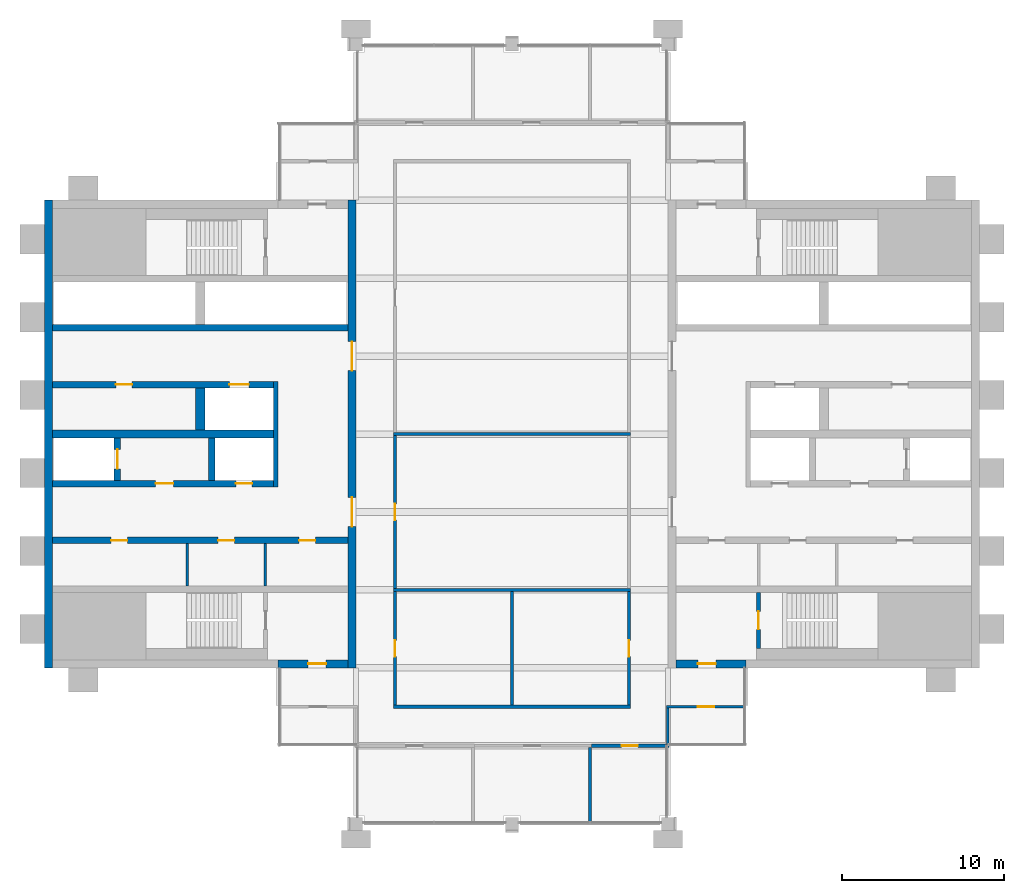
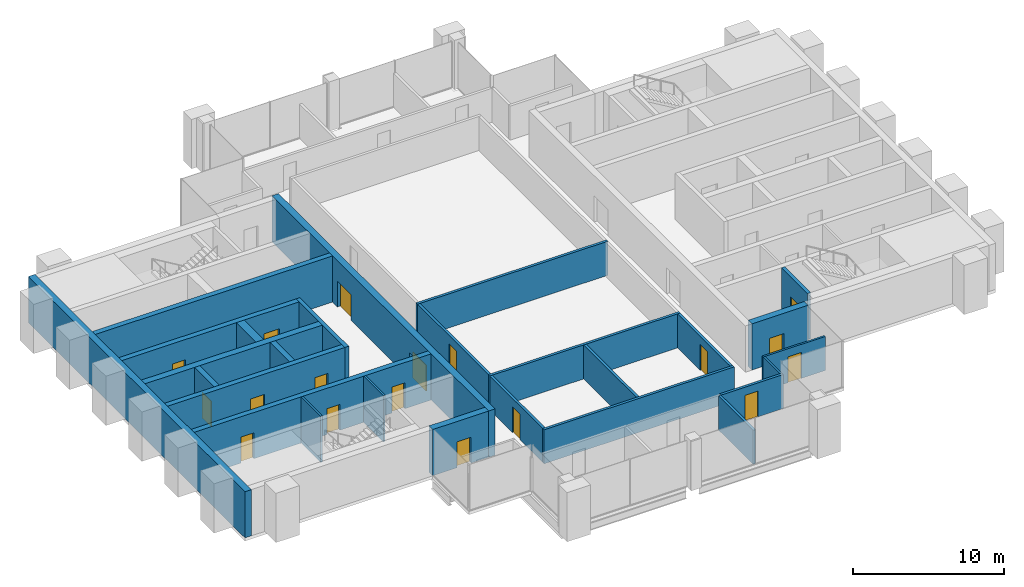
# One storey, part 8 of 11: 27 walls, 18 doors, 18 openings.
"""IFC4 building model written with IfcOpenShell, lengths in metres."""

from ifc_helpers import new_model, si_unit, direction, frame, frame_2d, origin, place, context, subcontext, project, spatial, rectangle, extrude, material, layer, layer_set, type_object, element, fill, save


model = new_model("IFC4")

# Units and contexts
model_context = context("Model", 3, precision=1e-05, world=origin(), true_north=direction((0.0, 1.0)))
body_context = subcontext(model_context, "Body", "Model", "MODEL_VIEW")
ifc_project = project(units=[si_unit("LENGTHUNIT", "METRE"), si_unit("AREAUNIT", "SQUARE_METRE"), si_unit("VOLUMEUNIT", "CUBIC_METRE"), si_unit("PLANEANGLEUNIT", "RADIAN"), si_unit("MASSUNIT", "GRAM", prefix="KILO")], contexts=[model_context])

# Site, building, storey
site_placement = place(None, origin())
site = spatial("IfcSite", under=ifc_project, at=site_placement, CompositionType="ELEMENT")
building_placement = place(site_placement, origin())
building = spatial("IfcBuilding", under=site, at=building_placement, Name="Baori Bourse Tower", CompositionType="ELEMENT")
storey_placement = place(building_placement, frame((0.0, 0.0, 354.300048828125)))
storey = spatial("IfcBuildingStorey", under=building, at=storey_placement, Name="L79", CompositionType="ELEMENT", Elevation=354.300048828125)

# Walls
ifc_material_1 = material(Name="Blockwork partition", Category="masonry")
ifc_layer_1 = layer(ifc_material_1, 0.14990234375)
ifc_layer_set_1 = layer_set([ifc_layer_1], Name="Core partition 150")
wall_type_1 = type_object("IfcWallType", Name="Core partition 150", PredefinedType="PARTITIONING", material=ifc_layer_set_1)
for number, where, z_axis, x_axis, name in (
    (1, (8.800048828125, 14.64990234375, 0.0), (0.0, 0.0, 1.0), (0.0, 1.0, 0.0), "Partition wall W09"),
    (2, (13.60009765625, 14.64990234375, 0.0), (0.0, 0.0, 1.0), (0.0, 1.0, 0.0), "Partition wall W10"),
):
    element("IfcWall", number, at=place(storey_placement, frame(where, z_axis=z_axis, x_axis=x_axis)), inside=storey, type_object=wall_type_1, Name=name, PredefinedType="PARTITIONING", context=body_context, shape_type="SweptSolid", body=[
        extrude(rectangle(XDim=2.60009765625, YDim=0.14990234375, at=frame_2d((1.300048828125, 0.0))), origin(), (0.0, 0.0, 1.0), 3.75),
    ])
ifc_material_2 = material(Name="Concrete f'c 40 MPa", Category="concrete")
ifc_layer_2 = layer(ifc_material_2, 0.5)
ifc_layer_set_2 = layer_set([ifc_layer_2], Name="Core wall 500 f'c 40")
wall_type_2 = type_object("IfcWallType", Name="Core wall 500 f'c 40", PredefinedType="SHEAR", material=ifc_layer_set_2)
wall_1_placement = place(storey_placement, frame((0.25, 9.60009765625, 0.0), z_axis=(0.0, 0.0, 1.0), x_axis=(0.0, 1.0, 0.0)))
element("IfcWall", 3, at=wall_1_placement, inside=storey, type_object=wall_type_2, Name="Core wall W01", PredefinedType="SHEAR", context=body_context, shape_type="SweptSolid", body=[
    extrude(rectangle(XDim=28.7998046875, YDim=0.5, at=frame_2d((14.39990234375, 0.0))), origin(), (0.0, 0.0, 1.0), 3.75),
])

# Wall, opening, door
wall_2_placement = place(storey_placement, frame((18.699951171875, 9.85009765625, 0.0), z_axis=(0.0, 0.0, 1.0), x_axis=(-1.0, 0.0, 0.0)))
wall_2 = element("IfcWall", 4, at=wall_2_placement, inside=storey, type_object=wall_type_2, Name="Core wall W03", PredefinedType="SHEAR", context=body_context, shape_type="SweptSolid", body=[
    extrude(rectangle(XDim=4.300048828125, YDim=0.5, at=frame_2d((2.14990234375, 0.0))), origin(), (0.0, 0.0, 1.0), 3.75),
])
opening_1_placement = place(wall_2_placement, frame((1.35009765625, 0.0, 0.0)))
opening_1 = element("IfcOpeningElement", 5, at=opening_1_placement, cuts=wall_2, Name="Opening L79-D102", PredefinedType="OPENING", context=body_context, shape_type="SweptSolid", body=[
    extrude(rectangle(XDim=1.10009765625, YDim=2.10009765625, at=frame_2d((0.550048828125, 1.050048828125))), frame((0.0, 0.260009765625, 0.0), z_axis=(0.0, -1.0, 0.0), x_axis=(1.0, 0.0, 0.0)), (0.0, 0.0, 1.0), 0.52001953125),
])
ifc_material_3 = material(Name="Painted steel door", Category="steel")
door_type_1 = type_object("IfcDoorType", Name="Stair door 1100", OperationType="SINGLE_SWING_LEFT", PredefinedType="DOOR", material=ifc_material_3)
door_1_placement = place(opening_1_placement, origin())
door_1 = element("IfcDoor", 6, at=door_1_placement, inside=storey, type_object=door_type_1, Name="Stair vestibule door A W L79", OperationType="SINGLE_SWING_LEFT", OverallHeight=2.10009765625, OverallWidth=1.10009765625, PredefinedType="DOOR", context=body_context, shape_type="SweptSolid", body=[
    extrude(rectangle(XDim=1.10009765625, YDim=2.10009765625, at=frame_2d((0.550048828125, 1.050048828125))), frame((0.0, 0.02490234375, 0.0), z_axis=(0.0, -1.0, 0.0), x_axis=(1.0, 0.0, 0.0)), (0.0, 0.0, 1.0), 0.050048828125),
])
fill(opening_1, door_1)

# Wall, openings, doors
wall_3_placement = place(storey_placement, frame((18.949951171875, 38.39990234375, 0.0), z_axis=(0.0, 0.0, 1.0), x_axis=(0.0, -1.0, 0.0)))
wall_3 = element("IfcWall", 7, at=wall_3_placement, inside=storey, type_object=wall_type_2, Name="Core wall W04", PredefinedType="SHEAR", context=body_context, shape_type="SweptSolid", body=[
    extrude(rectangle(XDim=28.7998046875, YDim=0.5, at=frame_2d((14.39990234375, 0.0))), origin(), (0.0, 0.0, 1.0), 3.75),
])
opening_2_placement = place(wall_3_placement, frame((18.300048828125, 0.0, 0.0)))
opening_2 = element("IfcOpeningElement", 8, at=opening_2_placement, cuts=wall_3, Name="Opening L79-D107", PredefinedType="OPENING", context=body_context, shape_type="SweptSolid", body=[
    extrude(rectangle(XDim=1.800048828125, YDim=2.10009765625, at=frame_2d((0.89990234375, 1.050048828125))), frame((0.0, 0.260009765625, 0.0), z_axis=(0.0, -1.0, 0.0), x_axis=(1.0, 0.0, 0.0)), (0.0, 0.0, 1.0), 0.52001953125),
])
opening_3_placement = place(wall_3_placement, frame((8.699951171875, 0.0, 0.0)))
opening_3 = element("IfcOpeningElement", 9, at=opening_3_placement, cuts=wall_3, Name="Opening L79-D108", PredefinedType="OPENING", context=body_context, shape_type="SweptSolid", body=[
    extrude(rectangle(XDim=1.800048828125, YDim=2.10009765625, at=frame_2d((0.89990234375, 1.050048828125))), frame((0.0, 0.260009765625, 0.0), z_axis=(0.0, -1.0, 0.0), x_axis=(1.0, 0.0, 0.0)), (0.0, 0.0, 1.0), 0.52001953125),
])
ifc_material_4 = material(Name="Painted steel door", Category="steel")
door_type_2 = type_object("IfcDoorType", Name="Core lobby door 1800", OperationType="DOUBLE_DOOR_SINGLE_SWING", PredefinedType="DOOR", material=ifc_material_4)
door_2_placement = place(opening_2_placement, origin())
door_2 = element("IfcDoor", 10, at=door_2_placement, inside=storey, type_object=door_type_2, Name="Lobby door W L79", OperationType="DOUBLE_DOOR_SINGLE_SWING", OverallHeight=2.10009765625, OverallWidth=1.800048828125, PredefinedType="DOOR", context=body_context, shape_type="SweptSolid", body=[
    extrude(rectangle(XDim=1.800048828125, YDim=2.10009765625, at=frame_2d((0.89990234375, 1.050048828125))), frame((0.0, 0.02490234375, 0.0), z_axis=(0.0, -1.0, 0.0), x_axis=(1.0, 0.0, 0.0)), (0.0, 0.0, 1.0), 0.050048828125),
])
fill(opening_2, door_2)
door_3_placement = place(opening_3_placement, origin())
door_3 = element("IfcDoor", 11, at=door_3_placement, inside=storey, type_object=door_type_2, Name="Lobby door W L79", OperationType="DOUBLE_DOOR_SINGLE_SWING", OverallHeight=2.10009765625, OverallWidth=1.800048828125, PredefinedType="DOOR", context=body_context, shape_type="SweptSolid", body=[
    extrude(rectangle(XDim=1.800048828125, YDim=2.10009765625, at=frame_2d((0.89990234375, 1.050048828125))), frame((0.0, 0.02490234375, 0.0), z_axis=(0.0, -1.0, 0.0), x_axis=(1.0, 0.0, 0.0)), (0.0, 0.0, 1.0), 0.050048828125),
])
fill(opening_3, door_3)

# Wall, opening, door
wall_4_placement = place(storey_placement, frame((43.199951171875, 9.85009765625, 0.0), z_axis=(0.0, 0.0, 1.0), x_axis=(-1.0, 0.0, 0.0)))
wall_4 = element("IfcWall", 12, at=wall_4_placement, inside=storey, type_object=wall_type_2, Name="Core wall E03", PredefinedType="SHEAR", context=body_context, shape_type="SweptSolid", body=[
    extrude(rectangle(XDim=4.300048828125, YDim=0.5, at=frame_2d((2.14990234375, 0.0))), origin(), (0.0, 0.0, 1.0), 3.75),
])
opening_4_placement = place(wall_4_placement, frame((1.85009765625, 0.0, 0.0)))
opening_4 = element("IfcOpeningElement", 13, at=opening_4_placement, cuts=wall_4, Name="Opening L79-D202", PredefinedType="OPENING", context=body_context, shape_type="SweptSolid", body=[
    extrude(rectangle(XDim=1.10009765625, YDim=2.10009765625, at=frame_2d((0.550048828125, 1.050048828125))), frame((0.0, 0.260009765625, 0.0), z_axis=(0.0, -1.0, 0.0), x_axis=(1.0, 0.0, 0.0)), (0.0, 0.0, 1.0), 0.52001953125),
])
door_4_placement = place(opening_4_placement, origin())
door_4 = element("IfcDoor", 14, at=door_4_placement, inside=storey, type_object=door_type_1, Name="Stair vestibule door A E L79", OperationType="SINGLE_SWING_LEFT", OverallHeight=2.10009765625, OverallWidth=1.10009765625, PredefinedType="DOOR", context=body_context, shape_type="SweptSolid", body=[
    extrude(rectangle(XDim=1.10009765625, YDim=2.10009765625, at=frame_2d((0.550048828125, 1.050048828125))), frame((0.0, 0.02490234375, 0.0), z_axis=(0.0, -1.0, 0.0), x_axis=(1.0, 0.0, 0.0)), (0.0, 0.0, 1.0), 0.050048828125),
])
fill(opening_4, door_4)

ifc_material_5 = material(Name="Gypsum board partition")
ifc_layer_3 = layer(ifc_material_5, 0.14990234375)
ifc_layer_set_3 = layer_set([ifc_layer_3], Name="Corridor partition 150")
wall_type_3 = type_object("IfcWallType", Name="Corridor partition 150", PredefinedType="PARTITIONING", material=ifc_layer_set_3)
wall_5_placement = place(storey_placement, frame((38.324951171875, 7.199951171875, 0.0), z_axis=(0.0, 0.0, 1.0), x_axis=(1.0, 0.0, 0.0)))
wall_5 = element("IfcWall", 15, at=wall_5_placement, inside=storey, type_object=wall_type_3, Name="Partition", PredefinedType="PARTITIONING", context=body_context, shape_type="SweptSolid", body=[
    extrude(rectangle(XDim=4.775146484375, YDim=0.14990234375, at=frame_2d((2.3876953125, 0.0))), origin(), (0.0, 0.0, 1.0), 2.75927734375),
])
opening_5_placement = place(wall_5_placement, frame((1.925048828125, 0.0, 0.0)))
opening_5 = element("IfcOpeningElement", 16, at=opening_5_placement, cuts=wall_5, Name="Opening L79-D05", PredefinedType="OPENING", context=body_context, shape_type="SweptSolid", body=[
    extrude(rectangle(XDim=1.0, YDim=2.10009765625, at=frame_2d((0.5, 1.050048828125))), frame((0.0, 0.0849609375, 0.0), z_axis=(0.0, -1.0, 0.0), x_axis=(1.0, 0.0, 0.0)), (0.0, 0.0, 1.0), 0.169921875),
])
ifc_material_6 = material(Name="Timber door leaf", Category="wood")
door_type_3 = type_object("IfcDoorType", Name="Door 1000 x 2100", OperationType="SINGLE_SWING_LEFT", PredefinedType="DOOR", material=ifc_material_6)
door_5_placement = place(opening_5_placement, origin())
door_5 = element("IfcDoor", 17, at=door_5_placement, inside=storey, type_object=door_type_3, Name="Door", OperationType="SINGLE_SWING_RIGHT", OverallHeight=2.10009765625, OverallWidth=1.0, PredefinedType="DOOR", context=body_context, shape_type="SweptSolid", body=[
    extrude(rectangle(XDim=1.0, YDim=2.10009765625, at=frame_2d((0.5, 1.050048828125))), frame((0.0, 0.02490234375, 0.0), z_axis=(0.0, -1.0, 0.0), x_axis=(1.0, 0.0, 0.0)), (0.0, 0.0, 1.0), 0.050048828125),
])
fill(opening_5, door_5)

# Wall
wall_6_placement = place(storey_placement, frame((38.39990234375, 4.89990234375, 0.0), z_axis=(0.0, 0.0, 1.0), x_axis=(0.0, 1.0, 0.0)))
element("IfcWall", 18, at=wall_6_placement, inside=storey, type_object=wall_type_3, Name="Partition", PredefinedType="PARTITIONING", context=body_context, shape_type="SweptSolid", body=[
    extrude(rectangle(XDim=2.22509765625, YDim=0.14990234375, at=frame_2d((1.112548828125, 0.0))), origin(), (0.0, 0.0, 1.0), 2.75927734375),
])

# Wall, opening, door
ifc_material_7 = material(Name="Gypsum board partition")
ifc_layer_4 = layer(ifc_material_7, 0.199951171875)
ifc_layer_set_4 = layer_set([ifc_layer_4], Name="Plant room wall 200")
wall_type_4 = type_object("IfcWallType", Name="Plant room wall 200", PredefinedType="PARTITIONING", material=ifc_layer_set_4)
wall_7_placement = place(storey_placement, frame((33.699951171875, 4.800048828125, 0.0), z_axis=(0.0, 0.0, 1.0), x_axis=(1.0, 0.0, 0.0)))
wall_7 = element("IfcWall", 19, at=wall_7_placement, inside=storey, type_object=wall_type_4, Name="Partition", PredefinedType="PARTITIONING", context=body_context, shape_type="SweptSolid", body=[
    extrude(rectangle(XDim=4.775146484375, YDim=0.199951171875, at=frame_2d((2.3876953125, 0.0))), origin(), (0.0, 0.0, 1.0), 2.75927734375),
])
opening_6_placement = place(wall_7_placement, frame((1.85009765625, 0.0, 0.0)))
opening_6 = element("IfcOpeningElement", 20, at=opening_6_placement, cuts=wall_7, Name="Opening L79-D03", PredefinedType="OPENING", context=body_context, shape_type="SweptSolid", body=[
    extrude(rectangle(XDim=1.0, YDim=2.10009765625, at=frame_2d((0.5, 1.050048828125))), frame((0.0, 0.10986328125, 0.0), z_axis=(0.0, -1.0, 0.0), x_axis=(1.0, 0.0, 0.0)), (0.0, 0.0, 1.0), 0.219970703125),
])
door_6_placement = place(opening_6_placement, origin())
door_6 = element("IfcDoor", 21, at=door_6_placement, inside=storey, type_object=door_type_3, Name="Door", OperationType="SINGLE_SWING_LEFT", OverallHeight=2.10009765625, OverallWidth=1.0, PredefinedType="DOOR", context=body_context, shape_type="SweptSolid", body=[
    extrude(rectangle(XDim=1.0, YDim=2.10009765625, at=frame_2d((0.5, 1.050048828125))), frame((0.0, 0.02490234375, 0.0), z_axis=(0.0, -1.0, 0.0), x_axis=(1.0, 0.0, 0.0)), (0.0, 0.0, 1.0), 0.050048828125),
])
fill(opening_6, door_6)

# Walls
for number, where, z_axis, x_axis, name in (
    (22, (21.5, 7.199951171875, 0.0), (0.0, 0.0, 1.0), (1.0, 0.0, 0.0), "Partition"),
    (23, (21.5, 14.39990234375, 0.0), (0.0, 0.0, 1.0), (1.0, 0.0, 0.0), "Partition"),
    (24, (21.5, 24.0, 0.0), (0.0, 0.0, 1.0), (1.0, 0.0, 0.0), "Partition"),
):
    element("IfcWall", number, at=place(storey_placement, frame(where, z_axis=z_axis, x_axis=x_axis)), inside=storey, type_object=wall_type_4, Name=name, PredefinedType="PARTITIONING", context=body_context, shape_type="SweptSolid", body=[
        extrude(rectangle(XDim=14.60009765625, YDim=0.199951171875, at=frame_2d((7.300048828125, 0.0))), origin(), (0.0, 0.0, 1.0), 2.75927734375),
    ])

# Wall, opening, door
wall_8_placement = place(storey_placement, frame((21.60009765625, 7.300048828125, 0.0), z_axis=(0.0, 0.0, 1.0), x_axis=(0.0, 1.0, 0.0)))
wall_8 = element("IfcWall", 25, at=wall_8_placement, inside=storey, type_object=wall_type_4, Name="Partition", PredefinedType="PARTITIONING", context=body_context, shape_type="SweptSolid", body=[
    extrude(rectangle(XDim=7.0, YDim=0.199951171875, at=frame_2d((3.5, 0.0))), origin(), (0.0, 0.0, 1.0), 2.75927734375),
])
opening_7_placement = place(wall_8_placement, frame((3.0, 0.0, 0.0)))
opening_7 = element("IfcOpeningElement", 26, at=opening_7_placement, cuts=wall_8, Name="Opening L79-D11", PredefinedType="OPENING", context=body_context, shape_type="SweptSolid", body=[
    extrude(rectangle(XDim=1.0, YDim=2.10009765625, at=frame_2d((0.5, 1.050048828125))), frame((0.0, 0.10986328125, 0.0), z_axis=(0.0, -1.0, 0.0), x_axis=(1.0, 0.0, 0.0)), (0.0, 0.0, 1.0), 0.219970703125),
])
door_7_placement = place(opening_7_placement, origin())
door_7 = element("IfcDoor", 27, at=door_7_placement, inside=storey, type_object=door_type_3, Name="Door", OperationType="SINGLE_SWING_RIGHT", OverallHeight=2.10009765625, OverallWidth=1.0, PredefinedType="DOOR", context=body_context, shape_type="SweptSolid", body=[
    extrude(rectangle(XDim=1.0, YDim=2.10009765625, at=frame_2d((0.5, 1.050048828125))), frame((0.0, 0.02490234375, 0.0), z_axis=(0.0, -1.0, 0.0), x_axis=(1.0, 0.0, 0.0)), (0.0, 0.0, 1.0), 0.050048828125),
])
fill(opening_7, door_7)

wall_9_placement = place(storey_placement, frame((21.60009765625, 14.5, 0.0), z_axis=(0.0, 0.0, 1.0), x_axis=(0.0, 1.0, 0.0)))
wall_9 = element("IfcWall", 28, at=wall_9_placement, inside=storey, type_object=wall_type_4, Name="Partition", PredefinedType="PARTITIONING", context=body_context, shape_type="SweptSolid", body=[
    extrude(rectangle(XDim=9.39990234375, YDim=0.199951171875, at=frame_2d((4.699951171875, 0.0))), origin(), (0.0, 0.0, 1.0), 2.75927734375),
])
opening_8_placement = place(wall_9_placement, frame((4.199951171875, 0.0, 0.0)))
opening_8 = element("IfcOpeningElement", 29, at=opening_8_placement, cuts=wall_9, Name="Opening L79-D12", PredefinedType="OPENING", context=body_context, shape_type="SweptSolid", body=[
    extrude(rectangle(XDim=1.0, YDim=2.10009765625, at=frame_2d((0.5, 1.050048828125))), frame((0.0, 0.10986328125, 0.0), z_axis=(0.0, -1.0, 0.0), x_axis=(1.0, 0.0, 0.0)), (0.0, 0.0, 1.0), 0.219970703125),
])
door_8_placement = place(opening_8_placement, origin())
door_8 = element("IfcDoor", 30, at=door_8_placement, inside=storey, type_object=door_type_3, Name="Door", OperationType="SINGLE_SWING_LEFT", OverallHeight=2.10009765625, OverallWidth=1.0, PredefinedType="DOOR", context=body_context, shape_type="SweptSolid", body=[
    extrude(rectangle(XDim=1.0, YDim=2.10009765625, at=frame_2d((0.5, 1.050048828125))), frame((0.0, 0.02490234375, 0.0), z_axis=(0.0, -1.0, 0.0), x_axis=(1.0, 0.0, 0.0)), (0.0, 0.0, 1.0), 0.050048828125),
])
fill(opening_8, door_8)

# Walls
wall_10_placement = place(storey_placement, frame((28.800048828125, 7.300048828125, 0.0), z_axis=(0.0, 0.0, 1.0), x_axis=(0.0, 1.0, 0.0)))
element("IfcWall", 31, at=wall_10_placement, inside=storey, type_object=wall_type_4, Name="Partition", PredefinedType="PARTITIONING", context=body_context, shape_type="SweptSolid", body=[
    extrude(rectangle(XDim=7.0, YDim=0.199951171875, at=frame_2d((3.5, 0.0))), origin(), (0.0, 0.0, 1.0), 2.75927734375),
])
wall_11_placement = place(storey_placement, frame((33.60009765625, 0.10009765625, 0.0), z_axis=(0.0, 0.0, 1.0), x_axis=(0.0, 1.0, 0.0)))
element("IfcWall", 32, at=wall_11_placement, inside=storey, type_object=wall_type_4, Name="Partition", PredefinedType="PARTITIONING", context=body_context, shape_type="SweptSolid", body=[
    extrude(rectangle(XDim=4.599853515625, YDim=0.199951171875, at=frame_2d((2.2998046875, 0.0))), origin(), (0.0, 0.0, 1.0), 2.75927734375),
])

# Wall, opening, door
wall_12_placement = place(storey_placement, frame((36.0, 7.300048828125, 0.0), z_axis=(0.0, 0.0, 1.0), x_axis=(0.0, 1.0, 0.0)))
wall_12 = element("IfcWall", 33, at=wall_12_placement, inside=storey, type_object=wall_type_4, Name="Partition", PredefinedType="PARTITIONING", context=body_context, shape_type="SweptSolid", body=[
    extrude(rectangle(XDim=7.0, YDim=0.199951171875, at=frame_2d((3.5, 0.0))), origin(), (0.0, 0.0, 1.0), 2.75927734375),
])
opening_9_placement = place(wall_12_placement, frame((3.0, 0.0, 0.0)))
opening_9 = element("IfcOpeningElement", 34, at=opening_9_placement, cuts=wall_12, Name="Opening L79-D14", PredefinedType="OPENING", context=body_context, shape_type="SweptSolid", body=[
    extrude(rectangle(XDim=1.0, YDim=2.10009765625, at=frame_2d((0.5, 1.050048828125))), frame((0.0, 0.10986328125, 0.0), z_axis=(0.0, -1.0, 0.0), x_axis=(1.0, 0.0, 0.0)), (0.0, 0.0, 1.0), 0.219970703125),
])
door_9_placement = place(opening_9_placement, origin())
door_9 = element("IfcDoor", 35, at=door_9_placement, inside=storey, type_object=door_type_3, Name="Door", OperationType="SINGLE_SWING_LEFT", OverallHeight=2.10009765625, OverallWidth=1.0, PredefinedType="DOOR", context=body_context, shape_type="SweptSolid", body=[
    extrude(rectangle(XDim=1.0, YDim=2.10009765625, at=frame_2d((0.5, 1.050048828125))), frame((0.0, 0.02490234375, 0.0), z_axis=(0.0, -1.0, 0.0), x_axis=(1.0, 0.0, 0.0)), (0.0, 0.0, 1.0), 0.050048828125),
])
fill(opening_9, door_9)

ifc_material_8 = material(Name="Concrete f'c 40 MPa", Category="concrete")
ifc_layer_5 = layer(ifc_material_8, 0.25)
ifc_layer_set_5 = layer_set([ifc_layer_5], Name="Shaft wall 250 f'c 40")
wall_type_5 = type_object("IfcWallType", Name="Shaft wall 250 f'c 40", PredefinedType="SHEAR", material=ifc_layer_set_5)
wall_13_placement = place(storey_placement, frame((43.97509765625, 10.800048828125, 0.0), z_axis=(0.0, 0.0, 1.0), x_axis=(0.0, 1.0, 0.0)))
wall_13 = element("IfcWall", 36, at=wall_13_placement, inside=storey, type_object=wall_type_5, Name="Core wall E07", PredefinedType="SHEAR", context=body_context, shape_type="SweptSolid", body=[
    extrude(rectangle(XDim=3.449951171875, YDim=0.25, at=frame_2d((1.72509765625, 0.0))), origin(), (0.0, 0.0, 1.0), 3.75),
])
opening_10_placement = place(wall_13_placement, frame((1.175048828125, 0.0, 0.0)))
opening_10 = element("IfcOpeningElement", 37, at=opening_10_placement, cuts=wall_13, Name="Opening L79-D201", PredefinedType="OPENING", context=body_context, shape_type="SweptSolid", body=[
    extrude(rectangle(XDim=1.10009765625, YDim=2.10009765625, at=frame_2d((0.550048828125, 1.050048828125))), frame((0.0, 0.135009765625, 0.0), z_axis=(0.0, -1.0, 0.0), x_axis=(1.0, 0.0, 0.0)), (0.0, 0.0, 1.0), 0.27001953125),
])
door_10_placement = place(opening_10_placement, origin())
door_10 = element("IfcDoor", 38, at=door_10_placement, inside=storey, type_object=door_type_1, Name="Stair door A E L79", OperationType="SINGLE_SWING_LEFT", OverallHeight=2.10009765625, OverallWidth=1.10009765625, PredefinedType="DOOR", context=body_context, shape_type="SweptSolid", body=[
    extrude(rectangle(XDim=1.10009765625, YDim=2.10009765625, at=frame_2d((0.550048828125, 1.050048828125))), frame((0.0, 0.02490234375, 0.0), z_axis=(0.0, -1.0, 0.0), x_axis=(1.0, 0.0, 0.0)), (0.0, 0.0, 1.0), 0.050048828125),
])
fill(opening_10, door_10)

# Wall
ifc_material_9 = material(Name="Concrete f'c 40 MPa", Category="concrete")
ifc_layer_6 = layer(ifc_material_9, 0.300048828125)
ifc_layer_set_6 = layer_set([ifc_layer_6], Name="Shaft wall 300 f'c 40")
wall_type_6 = type_object("IfcWallType", Name="Shaft wall 300 f'c 40", PredefinedType="SHEAR", material=ifc_layer_set_6)
wall_14_placement = place(storey_placement, frame((14.25, 20.75, 0.0), z_axis=(0.0, 0.0, 1.0), x_axis=(0.0, 1.0, 0.0)))
element("IfcWall", 39, at=wall_14_placement, inside=storey, type_object=wall_type_6, Name="Core wall W13", PredefinedType="SHEAR", context=body_context, shape_type="SweptSolid", body=[
    extrude(rectangle(XDim=6.5, YDim=0.300048828125, at=frame_2d((3.25, 0.0))), origin(), (0.0, 0.0, 1.0), 3.75),
])

# Wall, openings, doors
ifc_material_10 = material(Name="Concrete f'c 40 MPa", Category="concrete")
ifc_layer_7 = layer(ifc_material_10, 0.39990234375)
ifc_layer_set_7 = layer_set([ifc_layer_7], Name="Shaft wall 400 f'c 40")
wall_type_7 = type_object("IfcWallType", Name="Shaft wall 400 f'c 40", PredefinedType="SHEAR", material=ifc_layer_set_7)
wall_15_placement = place(storey_placement, frame((0.5, 17.449951171875, 0.0), z_axis=(0.0, 0.0, 1.0), x_axis=(1.0, 0.0, 0.0)))
wall_15 = element("IfcWall", 40, at=wall_15_placement, inside=storey, type_object=wall_type_7, Name="Core wall W11", PredefinedType="SHEAR", context=body_context, shape_type="SweptSolid", body=[
    extrude(rectangle(XDim=18.199951171875, YDim=0.39990234375, at=frame_2d((9.10009765625, 0.0))), origin(), (0.0, 0.0, 1.0), 3.75),
])
opening_11_placement = place(wall_15_placement, frame((3.612548828125, 0.0, 0.0)))
opening_11 = element("IfcOpeningElement", 41, at=opening_11_placement, cuts=wall_15, Name="Opening L79-D109", PredefinedType="OPENING", context=body_context, shape_type="SweptSolid", body=[
    extrude(rectangle(XDim=1.0, YDim=2.10009765625, at=frame_2d((0.5, 1.050048828125))), frame((0.0, 0.2099609375, 0.0), z_axis=(0.0, -1.0, 0.0), x_axis=(1.0, 0.0, 0.0)), (0.0, 0.0, 1.0), 0.419921875),
])
opening_12_placement = place(wall_15_placement, frame((10.199951171875, 0.0, 0.0)))
opening_12 = element("IfcOpeningElement", 42, at=opening_12_placement, cuts=wall_15, Name="Opening L79-D110", PredefinedType="OPENING", context=body_context, shape_type="SweptSolid", body=[
    extrude(rectangle(XDim=1.0, YDim=2.10009765625, at=frame_2d((0.5, 1.050048828125))), frame((0.0, 0.2099609375, 0.0), z_axis=(0.0, -1.0, 0.0), x_axis=(1.0, 0.0, 0.0)), (0.0, 0.0, 1.0), 0.419921875),
])
opening_13_placement = place(wall_15_placement, frame((15.1875, 0.0, 0.0)))
opening_13 = element("IfcOpeningElement", 43, at=opening_13_placement, cuts=wall_15, Name="Opening L79-D111", PredefinedType="OPENING", context=body_context, shape_type="SweptSolid", body=[
    extrude(rectangle(XDim=1.0, YDim=2.10009765625, at=frame_2d((0.5, 1.050048828125))), frame((0.0, 0.2099609375, 0.0), z_axis=(0.0, -1.0, 0.0), x_axis=(1.0, 0.0, 0.0)), (0.0, 0.0, 1.0), 0.419921875),
])
ifc_material_11 = material(Name="Painted steel door", Category="steel")
door_type_4 = type_object("IfcDoorType", Name="Plant room door 1000", OperationType="SINGLE_SWING_LEFT", PredefinedType="DOOR", material=ifc_material_11)
door_11_placement = place(opening_11_placement, origin())
door_11 = element("IfcDoor", 44, at=door_11_placement, inside=storey, type_object=door_type_4, Name="Air Handling Fan Room door W L79", OperationType="SINGLE_SWING_LEFT", OverallHeight=2.10009765625, OverallWidth=1.0, PredefinedType="DOOR", context=body_context, shape_type="SweptSolid", body=[
    extrude(rectangle(XDim=1.0, YDim=2.10009765625, at=frame_2d((0.5, 1.050048828125))), frame((0.0, 0.02490234375, 0.0), z_axis=(0.0, -1.0, 0.0), x_axis=(1.0, 0.0, 0.0)), (0.0, 0.0, 1.0), 0.050048828125),
])
fill(opening_11, door_11)
door_12_placement = place(opening_12_placement, origin())
door_12 = element("IfcDoor", 45, at=door_12_placement, inside=storey, type_object=door_type_4, Name="Electrical Room door W L79", OperationType="SINGLE_SWING_LEFT", OverallHeight=2.10009765625, OverallWidth=1.0, PredefinedType="DOOR", context=body_context, shape_type="SweptSolid", body=[
    extrude(rectangle(XDim=1.0, YDim=2.10009765625, at=frame_2d((0.5, 1.050048828125))), frame((0.0, 0.02490234375, 0.0), z_axis=(0.0, -1.0, 0.0), x_axis=(1.0, 0.0, 0.0)), (0.0, 0.0, 1.0), 0.050048828125),
])
fill(opening_12, door_12)
door_13_placement = place(opening_13_placement, origin())
door_13 = element("IfcDoor", 46, at=door_13_placement, inside=storey, type_object=door_type_4, Name="Mechanical Room door W L79", OperationType="SINGLE_SWING_LEFT", OverallHeight=2.10009765625, OverallWidth=1.0, PredefinedType="DOOR", context=body_context, shape_type="SweptSolid", body=[
    extrude(rectangle(XDim=1.0, YDim=2.10009765625, at=frame_2d((0.5, 1.050048828125))), frame((0.0, 0.02490234375, 0.0), z_axis=(0.0, -1.0, 0.0), x_axis=(1.0, 0.0, 0.0)), (0.0, 0.0, 1.0), 0.050048828125),
])
fill(opening_13, door_13)

wall_16_placement = place(storey_placement, frame((0.5, 20.949951171875, 0.0), z_axis=(0.0, 0.0, 1.0), x_axis=(1.0, 0.0, 0.0)))
wall_16 = element("IfcWall", 47, at=wall_16_placement, inside=storey, type_object=wall_type_7, Name="Core wall W12", PredefinedType="SHEAR", context=body_context, shape_type="SweptSolid", body=[
    extrude(rectangle(XDim=13.60009765625, YDim=0.39990234375, at=frame_2d((6.800048828125, 0.0))), origin(), (0.0, 0.0, 1.0), 3.75),
])
opening_14_placement = place(wall_16_placement, frame((6.35009765625, 0.0, 0.0)))
opening_14 = element("IfcOpeningElement", 48, at=opening_14_placement, cuts=wall_16, Name="Opening L79-D105", PredefinedType="OPENING", context=body_context, shape_type="SweptSolid", body=[
    extrude(rectangle(XDim=1.10009765625, YDim=2.10009765625, at=frame_2d((0.550048828125, 1.050048828125))), frame((0.0, 0.2099609375, 0.0), z_axis=(0.0, -1.0, 0.0), x_axis=(1.0, 0.0, 0.0)), (0.0, 0.0, 1.0), 0.419921875),
])
opening_15_placement = place(wall_16_placement, frame((11.300048828125, 0.0, 0.0)))
opening_15 = element("IfcOpeningElement", 49, at=opening_15_placement, cuts=wall_16, Name="Opening L79-D106", PredefinedType="OPENING", context=body_context, shape_type="SweptSolid", body=[
    extrude(rectangle(XDim=1.0, YDim=2.10009765625, at=frame_2d((0.5, 1.050048828125))), frame((0.0, 0.2099609375, 0.0), z_axis=(0.0, -1.0, 0.0), x_axis=(1.0, 0.0, 0.0)), (0.0, 0.0, 1.0), 0.419921875),
])
ifc_material_12 = material(Name="Painted steel door", Category="steel")
door_type_5 = type_object("IfcDoorType", Name="Lobby door 1100", OperationType="SINGLE_SWING_LEFT", PredefinedType="DOOR", material=ifc_material_12)
door_14_placement = place(opening_14_placement, origin())
door_14 = element("IfcDoor", 50, at=door_14_placement, inside=storey, type_object=door_type_5, Name="Firefighting lobby door W L79", OperationType="SINGLE_SWING_LEFT", OverallHeight=2.10009765625, OverallWidth=1.10009765625, PredefinedType="DOOR", context=body_context, shape_type="SweptSolid", body=[
    extrude(rectangle(XDim=1.10009765625, YDim=2.10009765625, at=frame_2d((0.550048828125, 1.050048828125))), frame((0.0, 0.02490234375, 0.0), z_axis=(0.0, -1.0, 0.0), x_axis=(1.0, 0.0, 0.0)), (0.0, 0.0, 1.0), 0.050048828125),
])
fill(opening_14, door_14)
ifc_material_13 = material(Name="Painted steel door", Category="steel")
door_type_6 = type_object("IfcDoorType", Name="Shaft door 1000", OperationType="SINGLE_SWING_LEFT", PredefinedType="DOOR", material=ifc_material_13)
door_15_placement = place(opening_15_placement, origin())
door_15 = element("IfcDoor", 51, at=door_15_placement, inside=storey, type_object=door_type_6, Name="Riser room door W L79", OperationType="SINGLE_SWING_LEFT", OverallHeight=2.10009765625, OverallWidth=1.0, PredefinedType="DOOR", context=body_context, shape_type="SweptSolid", body=[
    extrude(rectangle(XDim=1.0, YDim=2.10009765625, at=frame_2d((0.5, 1.050048828125))), frame((0.0, 0.02490234375, 0.0), z_axis=(0.0, -1.0, 0.0), x_axis=(1.0, 0.0, 0.0)), (0.0, 0.0, 1.0), 0.050048828125),
])
fill(opening_15, door_15)

# Wall, opening, door
wall_17_placement = place(storey_placement, frame((4.5, 21.14990234375, 0.0), z_axis=(0.0, 0.0, 1.0), x_axis=(0.0, 1.0, 0.0)))
wall_17 = element("IfcWall", 52, at=wall_17_placement, inside=storey, type_object=wall_type_7, Name="Core wall W14", PredefinedType="SHEAR", context=body_context, shape_type="SweptSolid", body=[
    extrude(rectangle(XDim=2.60009765625, YDim=0.39990234375, at=frame_2d((1.300048828125, 0.0))), origin(), (0.0, 0.0, 1.0), 3.75),
])
opening_16_placement = place(wall_17_placement, frame((0.699951171875, 0.0, 0.0)))
opening_16 = element("IfcOpeningElement", 53, at=opening_16_placement, cuts=wall_17, Name="Opening L79-D114", PredefinedType="OPENING", context=body_context, shape_type="SweptSolid", body=[
    extrude(rectangle(XDim=1.199951171875, YDim=2.10009765625, at=frame_2d((0.60009765625, 1.050048828125))), frame((0.0, 0.2099609375, 0.0), z_axis=(0.0, -1.0, 0.0), x_axis=(1.0, 0.0, 0.0)), (0.0, 0.0, 1.0), 0.419921875),
])
ifc_material_14 = material(Name="Stainless steel door", Category="steel")
door_type_7 = type_object("IfcDoorType", Name="Lift landing door", OperationType="DOUBLE_DOOR_SLIDING", PredefinedType="DOOR", material=ifc_material_14)
door_16_placement = place(opening_16_placement, origin())
door_16 = element("IfcDoor", 54, at=door_16_placement, inside=storey, type_object=door_type_7, Name="Lift landing door FF1 W L79", OperationType="DOUBLE_DOOR_SLIDING", OverallHeight=2.10009765625, OverallWidth=1.199951171875, PredefinedType="DOOR", context=body_context, shape_type="SweptSolid", body=[
    extrude(rectangle(XDim=1.199951171875, YDim=2.10009765625, at=frame_2d((0.60009765625, 1.050048828125))), frame((0.0, 0.02490234375, 0.0), z_axis=(0.0, -1.0, 0.0), x_axis=(1.0, 0.0, 0.0)), (0.0, 0.0, 1.0), 0.050048828125),
])
fill(opening_16, door_16)

# Wall
wall_18_placement = place(storey_placement, frame((10.300048828125, 21.14990234375, 0.0), z_axis=(0.0, 0.0, 1.0), x_axis=(0.0, 1.0, 0.0)))
element("IfcWall", 55, at=wall_18_placement, inside=storey, type_object=wall_type_7, Name="Core wall W15", PredefinedType="SHEAR", context=body_context, shape_type="SweptSolid", body=[
    extrude(rectangle(XDim=2.60009765625, YDim=0.39990234375, at=frame_2d((1.300048828125, 0.0))), origin(), (0.0, 0.0, 1.0), 3.75),
])

# Wall, openings, doors
wall_19_placement = place(storey_placement, frame((0.5, 27.050048828125, 0.0), z_axis=(0.0, 0.0, 1.0), x_axis=(1.0, 0.0, 0.0)))
wall_19 = element("IfcWall", 56, at=wall_19_placement, inside=storey, type_object=wall_type_7, Name="Core wall W18", PredefinedType="SHEAR", context=body_context, shape_type="SweptSolid", body=[
    extrude(rectangle(XDim=13.60009765625, YDim=0.39990234375, at=frame_2d((6.800048828125, 0.0))), origin(), (0.0, 0.0, 1.0), 3.75),
])
opening_17_placement = place(wall_19_placement, frame((3.89990234375, 0.0, 0.0)))
opening_17 = element("IfcOpeningElement", 57, at=opening_17_placement, cuts=wall_19, Name="Opening L79-D112", PredefinedType="OPENING", context=body_context, shape_type="SweptSolid", body=[
    extrude(rectangle(XDim=1.0, YDim=2.10009765625, at=frame_2d((0.5, 1.050048828125))), frame((0.0, 0.2099609375, 0.0), z_axis=(0.0, -1.0, 0.0), x_axis=(1.0, 0.0, 0.0)), (0.0, 0.0, 1.0), 0.419921875),
])
opening_18_placement = place(wall_19_placement, frame((10.89990234375, 0.0, 0.0)))
opening_18 = element("IfcOpeningElement", 58, at=opening_18_placement, cuts=wall_19, Name="Opening L79-D113", PredefinedType="OPENING", context=body_context, shape_type="SweptSolid", body=[
    extrude(rectangle(XDim=1.199951171875, YDim=2.10009765625, at=frame_2d((0.60009765625, 1.050048828125))), frame((0.0, 0.2099609375, 0.0), z_axis=(0.0, -1.0, 0.0), x_axis=(1.0, 0.0, 0.0)), (0.0, 0.0, 1.0), 0.419921875),
])
door_17_placement = place(opening_18_placement, origin())
door_17 = element("IfcDoor", 59, at=door_17_placement, inside=storey, type_object=door_type_7, Name="Lift landing door SV1 W L79", OperationType="DOUBLE_DOOR_SLIDING", OverallHeight=2.10009765625, OverallWidth=1.199951171875, PredefinedType="DOOR", context=body_context, shape_type="SweptSolid", body=[
    extrude(rectangle(XDim=1.199951171875, YDim=2.10009765625, at=frame_2d((0.60009765625, 1.050048828125))), frame((0.0, 0.02490234375, 0.0), z_axis=(0.0, -1.0, 0.0), x_axis=(1.0, 0.0, 0.0)), (0.0, 0.0, 1.0), 0.050048828125),
])
fill(opening_18, door_17)
door_18_placement = place(opening_17_placement, origin())
door_18 = element("IfcDoor", 60, at=door_18_placement, inside=storey, type_object=door_type_4, Name="Plant Room door W L79", OperationType="SINGLE_SWING_LEFT", OverallHeight=2.10009765625, OverallWidth=1.0, PredefinedType="DOOR", context=body_context, shape_type="SweptSolid", body=[
    extrude(rectangle(XDim=1.0, YDim=2.10009765625, at=frame_2d((0.5, 1.050048828125))), frame((0.0, 0.02490234375, 0.0), z_axis=(0.0, -1.0, 0.0), x_axis=(1.0, 0.0, 0.0)), (0.0, 0.0, 1.0), 0.050048828125),
])
fill(opening_17, door_18)

# Walls
wall_20_placement = place(storey_placement, frame((0.5, 30.550048828125, 0.0), z_axis=(0.0, 0.0, 1.0), x_axis=(1.0, 0.0, 0.0)))
element("IfcWall", 61, at=wall_20_placement, inside=storey, type_object=wall_type_7, Name="Core wall W19", PredefinedType="SHEAR", context=body_context, shape_type="SweptSolid", body=[
    extrude(rectangle(XDim=18.199951171875, YDim=0.39990234375, at=frame_2d((9.10009765625, 0.0))), origin(), (0.0, 0.0, 1.0), 3.75),
])
ifc_material_15 = material(Name="Concrete f'c 40 MPa", Category="concrete")
ifc_layer_8 = layer(ifc_material_15, 0.5)
ifc_layer_set_8 = layer_set([ifc_layer_8], Name="Shaft wall 500 f'c 40")
wall_type_8 = type_object("IfcWallType", Name="Shaft wall 500 f'c 40", PredefinedType="SHEAR", material=ifc_layer_set_8)
wall_21_placement = place(storey_placement, frame((0.5, 24.0, 0.0), z_axis=(0.0, 0.0, 1.0), x_axis=(1.0, 0.0, 0.0)))
element("IfcWall", 62, at=wall_21_placement, inside=storey, type_object=wall_type_8, Name="Core wall W16", PredefinedType="SHEAR", context=body_context, shape_type="SweptSolid", body=[
    extrude(rectangle(XDim=13.60009765625, YDim=0.5, at=frame_2d((6.800048828125, 0.0))), origin(), (0.0, 0.0, 1.0), 3.75),
])
ifc_material_16 = material(Name="Concrete f'c 40 MPa", Category="concrete")
ifc_layer_9 = layer(ifc_material_16, 0.60009765625)
ifc_layer_set_9 = layer_set([ifc_layer_9], Name="Shaft wall 600 f'c 40")
wall_type_9 = type_object("IfcWallType", Name="Shaft wall 600 f'c 40", PredefinedType="SHEAR", material=ifc_layer_set_9)
wall_22_placement = place(storey_placement, frame((9.60009765625, 24.25, 0.0), z_axis=(0.0, 0.0, 1.0), x_axis=(0.0, 1.0, 0.0)))
element("IfcWall", 63, at=wall_22_placement, inside=storey, type_object=wall_type_9, Name="Core wall W17", PredefinedType="SHEAR", context=body_context, shape_type="SweptSolid", body=[
    extrude(rectangle(XDim=2.60009765625, YDim=0.60009765625, at=frame_2d((1.300048828125, 0.0))), origin(), (0.0, 0.0, 1.0), 3.75),
])

save(model, "model.ifc")
